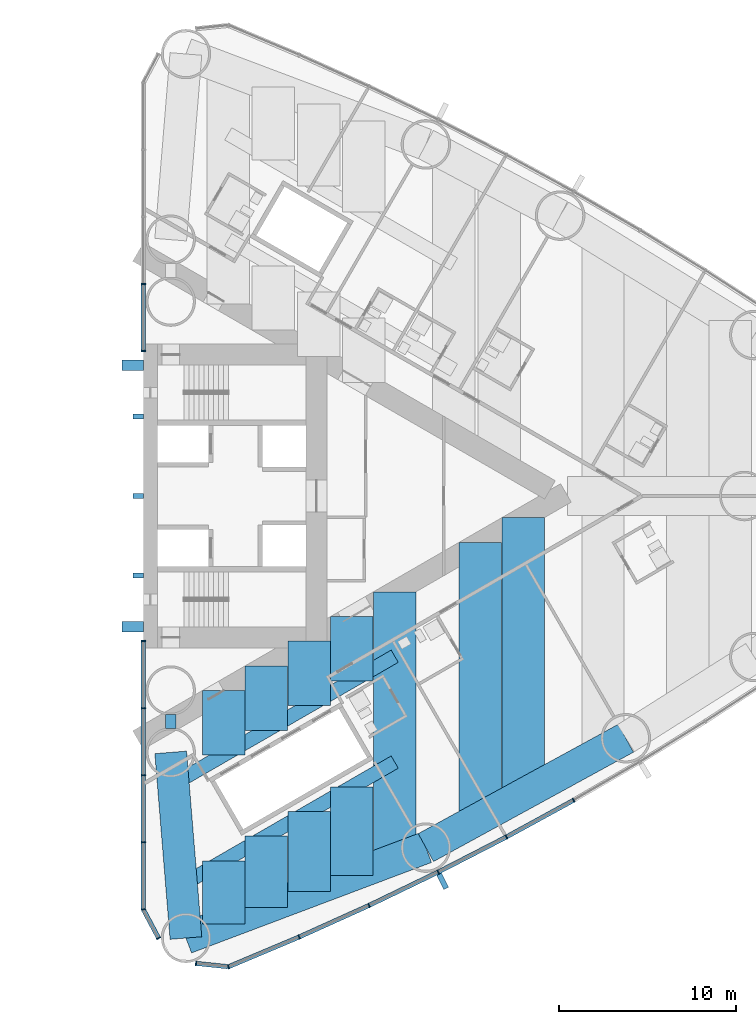
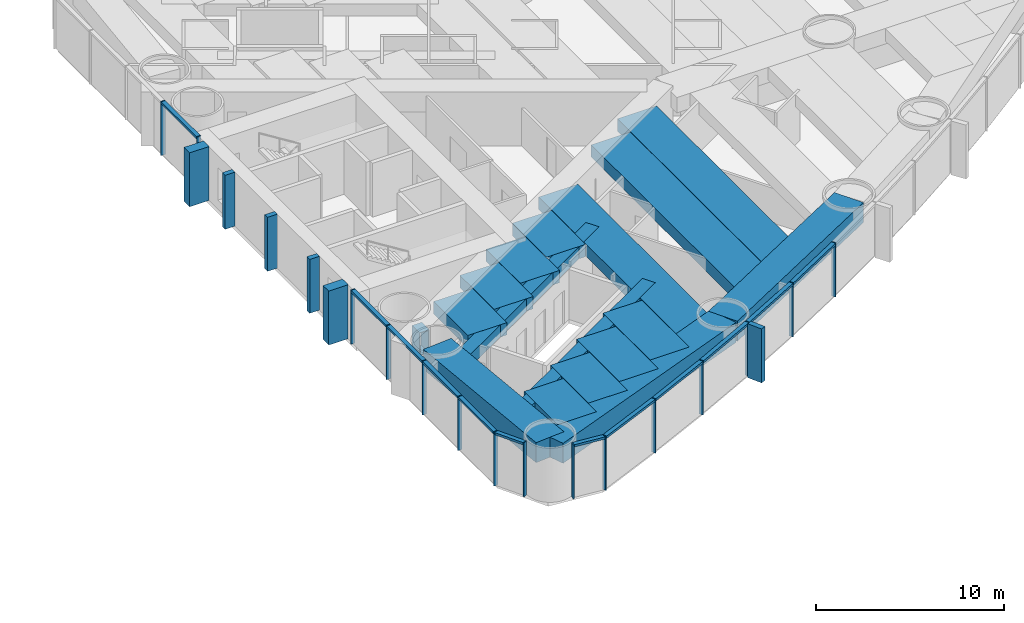
# One storey, part 6 of 18: 33 members, 17 beams, 3 elements without a shape of their own.
"""IFC4 building model written with IfcOpenShell, lengths in metres."""

from ifc_helpers import new_model, si_unit, direction, frame, origin, origin_2d, place, context, subcontext, project, spatial, rectangle, hollow_rectangle, extrude, material, material_profile, profile_set, type_object, element, aggregate, save


model = new_model("IFC4")

# Units and contexts
model_context = context("Model", 3, precision=1e-05, world=origin(), true_north=direction((0.0, 1.0)))
body_context = subcontext(model_context, "Body", "Model", "MODEL_VIEW")
ifc_project = project(units=[si_unit("LENGTHUNIT", "METRE"), si_unit("AREAUNIT", "SQUARE_METRE"), si_unit("VOLUMEUNIT", "CUBIC_METRE"), si_unit("PLANEANGLEUNIT", "RADIAN"), si_unit("MASSUNIT", "GRAM", prefix="KILO")], contexts=[model_context])

# Site, building, storey
site_placement = place(None, origin())
site = spatial("IfcSite", under=ifc_project, at=site_placement, CompositionType="ELEMENT")
building_placement = place(site_placement, origin())
building = spatial("IfcBuilding", under=site, at=building_placement, Name="Lancet Gate Hotel", CompositionType="ELEMENT")
storey_placement = place(building_placement, frame((0.0, 0.0, 42.5)))
storey = spatial("IfcBuildingStorey", under=building, at=storey_placement, Name="L10", CompositionType="ELEMENT", Elevation=42.5)

# Curtain wall, members
ifc_material_1 = material(Name="Aluminium curtain wall", Category="aluminium")
curtain_wall_type = type_object("IfcCurtainWallType", Name="Tower unitised curtain wall", PredefinedType="USERDEFINED", material=ifc_material_1)
curtain_wall_1_placement = place(storey_placement, origin())
curtain_wall_1 = element("IfcCurtainWall", 1, at=curtain_wall_1_placement, inside=storey, type_object=curtain_wall_type, Name="T2 L10 curtain wall 1", ObjectType="UNITISED CURTAIN WALL", PredefinedType="USERDEFINED")
ifc_material_2 = material(Name="Aluminium mullion", Category="aluminium")
ifc_material_profile_1 = material_profile(ifc_material_2, rectangle(XDim=0.06494140625, YDim=0.25, at=origin_2d()), Name="MULLION 65x250")
ifc_profile_set_1 = profile_set([ifc_material_profile_1], Name="Aluminium mullion")
member_type_1 = type_object("IfcMemberType", Name="Aluminium mullion 65x250", PredefinedType="MULLION", material=ifc_profile_set_1)
member_1_placement = place(storey_placement, frame((27.5, -8.199951171875, 0.0), z_axis=(0.0, 0.0, 1.0), x_axis=(0.0, -1.0, 0.0)))
member_1 = element("IfcMember", 2, at=member_1_placement, type_object=member_type_1, Name="T2 L10 curtain wall 1 mullion 1", PredefinedType="MULLION", context=body_context, shape_type="SweptSolid", body=[
    extrude(rectangle(XDim=0.06494140625, YDim=0.25, at=origin_2d()), origin(), (0.0, 0.0, 1.0), 3.5),
])
member_2_placement = place(storey_placement, frame((27.5, -11.99609375, 0.0), z_axis=(0.0, 0.0, 1.0), x_axis=(0.0, -1.0, 0.0)))
member_2 = element("IfcMember", 3, at=member_2_placement, type_object=member_type_1, Name="T2 L10 curtain wall 1 mullion 2", PredefinedType="MULLION", context=body_context, shape_type="SweptSolid", body=[
    extrude(rectangle(XDim=0.06494140625, YDim=0.25, at=origin_2d()), origin(), (0.0, 0.0, 1.0), 3.5),
])
member_3_placement = place(storey_placement, frame((27.5, -15.79248046875, 0.0), z_axis=(0.0, 0.0, 1.0), x_axis=(0.0, -1.0, 0.0)))
member_3 = element("IfcMember", 4, at=member_3_placement, type_object=member_type_1, Name="T2 L10 curtain wall 1 mullion 3", PredefinedType="MULLION", context=body_context, shape_type="SweptSolid", body=[
    extrude(rectangle(XDim=0.06494140625, YDim=0.25, at=origin_2d()), origin(), (0.0, 0.0, 1.0), 3.5),
])
member_4_placement = place(storey_placement, frame((27.5, -19.588623046875, 0.0), z_axis=(0.0, 0.0, 1.0), x_axis=(0.0, -1.0, 0.0)))
member_4 = element("IfcMember", 5, at=member_4_placement, type_object=member_type_1, Name="T2 L10 curtain wall 1 mullion 4", PredefinedType="MULLION", context=body_context, shape_type="SweptSolid", body=[
    extrude(rectangle(XDim=0.06494140625, YDim=0.25, at=origin_2d()), origin(), (0.0, 0.0, 1.0), 3.5),
])
member_5_placement = place(storey_placement, frame((27.5, -23.384765625, 0.0), z_axis=(0.0, 0.0, 1.0), x_axis=(0.157751691459, -0.987478811844, 0.0)))
member_5 = element("IfcMember", 6, at=member_5_placement, type_object=member_type_1, Name="T2 L10 curtain wall 1 mullion 5", PredefinedType="MULLION", context=body_context, shape_type="SweptSolid", body=[
    extrude(rectangle(XDim=0.06494140625, YDim=0.25, at=origin_2d()), origin(), (0.0, 0.0, 1.0), 3.5),
])
member_6_placement = place(storey_placement, frame((28.366455078125, -25.012451171875, 0.0), z_axis=(0.0, 0.0, 1.0), x_axis=(0.469897827284, -0.882720811987, 0.0)))
member_6 = element("IfcMember", 7, at=member_6_placement, type_object=member_type_1, Name="T2 L10 curtain wall 1 mullion 6", PredefinedType="MULLION", context=body_context, shape_type="SweptSolid", body=[
    extrude(rectangle(XDim=0.06494140625, YDim=0.25, at=origin_2d()), origin(), (0.0, 0.0, 1.0), 3.5),
])

curtain_wall_2_placement = place(storey_placement, origin())
curtain_wall_2 = element("IfcCurtainWall", 8, at=curtain_wall_2_placement, inside=storey, type_object=curtain_wall_type, Name="T2 L10 curtain wall 2", ObjectType="UNITISED CURTAIN WALL", PredefinedType="USERDEFINED")
member_7_placement = place(storey_placement, frame((30.48388671875, -26.4375, 0.0), z_axis=(0.0, 0.0, 1.0), x_axis=(0.994672262412, -0.10308778001, 0.0)))
member_7 = element("IfcMember", 9, at=member_7_placement, type_object=member_type_1, Name="T2 L10 curtain wall 2 mullion 1", PredefinedType="MULLION", context=body_context, shape_type="SweptSolid", body=[
    extrude(rectangle(XDim=0.06494140625, YDim=0.25, at=origin_2d()), origin(), (0.0, 0.0, 1.0), 3.5),
])
member_8_placement = place(storey_placement, frame((32.3173828125, -26.62744140625, 0.0), z_axis=(0.0, 0.0, 1.0), x_axis=(0.968721492963, 0.248150496819, 0.0)))
member_8 = element("IfcMember", 10, at=member_8_placement, type_object=member_type_1, Name="T2 L10 curtain wall 2 mullion 2", PredefinedType="MULLION", context=body_context, shape_type="SweptSolid", body=[
    extrude(rectangle(XDim=0.06494140625, YDim=0.25, at=origin_2d()), origin(), (0.0, 0.0, 1.0), 3.5),
])
member_9_placement = place(storey_placement, frame((36.31494140625, -24.943603515625, 0.0), z_axis=(0.0, 0.0, 1.0), x_axis=(0.916578705089, 0.399854320193, 0.0)))
member_9 = element("IfcMember", 11, at=member_9_placement, type_object=member_type_1, Name="T2 L10 curtain wall 2 mullion 3", PredefinedType="MULLION", context=body_context, shape_type="SweptSolid", body=[
    extrude(rectangle(XDim=0.06494140625, YDim=0.25, at=origin_2d()), origin(), (0.0, 0.0, 1.0), 3.5),
])
member_10_placement = place(storey_placement, frame((40.2685546875, -23.15869140625, 0.0), z_axis=(0.0, 0.0, 1.0), x_axis=(0.906104948671, 0.423052977762, 0.0)))
member_10 = element("IfcMember", 12, at=member_10_placement, type_object=member_type_1, Name="T2 L10 curtain wall 2 mullion 4", PredefinedType="MULLION", context=body_context, shape_type="SweptSolid", body=[
    extrude(rectangle(XDim=0.06494140625, YDim=0.25, at=origin_2d()), origin(), (0.0, 0.0, 1.0), 3.5),
])
member_11_placement = place(storey_placement, frame((44.17529296875, -21.273681640625, 0.0), z_axis=(0.0, 0.0, 1.0), x_axis=(0.895044147438, 0.445977548917, 0.0)))
member_11 = element("IfcMember", 13, at=member_11_placement, type_object=member_type_1, Name="T2 L10 curtain wall 2 mullion 5", PredefinedType="MULLION", context=body_context, shape_type="SweptSolid", body=[
    extrude(rectangle(XDim=0.06494140625, YDim=0.25, at=origin_2d()), origin(), (0.0, 0.0, 1.0), 3.5),
])
member_12_placement = place(storey_placement, frame((48.03271484375, -19.2900390625, 0.0), z_axis=(0.0, 0.0, 1.0), x_axis=(0.88340346743, 0.468613181347, 0.0)))
member_12 = element("IfcMember", 14, at=member_12_placement, type_object=member_type_1, Name="T2 L10 curtain wall 2 mullion 6", PredefinedType="MULLION", context=body_context, shape_type="SweptSolid", body=[
    extrude(rectangle(XDim=0.06494140625, YDim=0.25, at=origin_2d()), origin(), (0.0, 0.0, 1.0), 3.5),
])
member_13_placement = place(storey_placement, frame((51.838623046875, -17.208740234375, 0.0), z_axis=(0.0, 0.0, 1.0), x_axis=(0.871190450382, 0.490945209941, 0.0)))
member_13 = element("IfcMember", 15, at=member_13_placement, type_object=member_type_1, Name="T2 L10 curtain wall 2 mullion 7", PredefinedType="MULLION", context=body_context, shape_type="SweptSolid", body=[
    extrude(rectangle(XDim=0.06494140625, YDim=0.25, at=origin_2d()), origin(), (0.0, 0.0, 1.0), 3.5),
])

curtain_wall_3_placement = place(storey_placement, origin())
curtain_wall_3 = element("IfcCurtainWall", 16, at=curtain_wall_3_placement, inside=storey, type_object=curtain_wall_type, Name="T2 L10 curtain wall 4", ObjectType="UNITISED CURTAIN WALL", PredefinedType="USERDEFINED")
member_14_placement = place(storey_placement, frame((27.5, 11.99609375, 0.0), z_axis=(0.0, 0.0, 1.0), x_axis=(0.0, -1.0, 0.0)))
member_14 = element("IfcMember", 17, at=member_14_placement, type_object=member_type_1, Name="T2 L10 curtain wall 4 mullion 5", PredefinedType="MULLION", context=body_context, shape_type="SweptSolid", body=[
    extrude(rectangle(XDim=0.06494140625, YDim=0.25, at=origin_2d()), origin(), (0.0, 0.0, 1.0), 3.5),
])
member_15_placement = place(storey_placement, frame((27.5, 8.199951171875, 0.0), z_axis=(0.0, 0.0, 1.0), x_axis=(0.0, -1.0, 0.0)))
member_15 = element("IfcMember", 18, at=member_15_placement, type_object=member_type_1, Name="T2 L10 curtain wall 4 mullion 6", PredefinedType="MULLION", context=body_context, shape_type="SweptSolid", body=[
    extrude(rectangle(XDim=0.06494140625, YDim=0.25, at=origin_2d()), origin(), (0.0, 0.0, 1.0), 3.5),
])

# Member
ifc_material_3 = material(Name="Aluminium transom", Category="aluminium")
ifc_material_profile_2 = material_profile(ifc_material_3, rectangle(XDim=0.25, YDim=0.14990234375, at=origin_2d()), Name="TRANSOM 250x150")
ifc_profile_set_2 = profile_set([ifc_material_profile_2], Name="Aluminium transom")
member_type_2 = type_object("IfcMemberType", Name="Aluminium transom 250x150", PredefinedType="USERDEFINED", material=ifc_profile_set_2)
member_16_placement = place(storey_placement, frame((27.5, -8.232421875, 3.425048828125), z_axis=(0.0, -1.0, 0.0), x_axis=(1.0, 0.0, 0.0)))
member_16 = element("IfcMember", 19, at=member_16_placement, type_object=member_type_2, Name="T2 L10 curtain wall 1 transom 1", ObjectType="TRANSOM", PredefinedType="USERDEFINED", context=body_context, shape_type="SweptSolid", body=[
    extrude(rectangle(XDim=0.25, YDim=0.14990234375, at=origin_2d()), origin(), (0.0, 0.0, 1.0), 3.731201171875),
])

member_17_placement = place(storey_placement, frame((27.5, -12.02880859375, 3.425048828125), z_axis=(0.0, -1.0, 0.0), x_axis=(1.0, 0.0, 0.0)))
member_17 = element("IfcMember", 20, at=member_17_placement, type_object=member_type_2, Name="T2 L10 curtain wall 1 transom 2", ObjectType="TRANSOM", PredefinedType="USERDEFINED", context=body_context, shape_type="SweptSolid", body=[
    extrude(rectangle(XDim=0.25, YDim=0.14990234375, at=origin_2d()), origin(), (0.0, 0.0, 1.0), 3.731201171875),
])

member_18_placement = place(storey_placement, frame((27.5, -15.824951171875, 3.425048828125), z_axis=(0.0, -1.0, 0.0), x_axis=(1.0, 0.0, 0.0)))
member_18 = element("IfcMember", 21, at=member_18_placement, type_object=member_type_2, Name="T2 L10 curtain wall 1 transom 3", ObjectType="TRANSOM", PredefinedType="USERDEFINED", context=body_context, shape_type="SweptSolid", body=[
    extrude(rectangle(XDim=0.25, YDim=0.14990234375, at=origin_2d()), origin(), (0.0, 0.0, 1.0), 3.731201171875),
])

member_19_placement = place(storey_placement, frame((27.5, -19.62109375, 3.425048828125), z_axis=(0.0, -1.0, 0.0), x_axis=(1.0, 0.0, 0.0)))
member_19 = element("IfcMember", 22, at=member_19_placement, type_object=member_type_2, Name="T2 L10 curtain wall 1 transom 4", ObjectType="TRANSOM", PredefinedType="USERDEFINED", context=body_context, shape_type="SweptSolid", body=[
    extrude(rectangle(XDim=0.25, YDim=0.14990234375, at=origin_2d()), origin(), (0.0, 0.0, 1.0), 3.731201171875),
])

member_20_placement = place(storey_placement, frame((27.515380859375, -23.41357421875, 3.425048828125), z_axis=(0.469904276347, -0.882717378933, 0.0), x_axis=(0.882717378933, 0.469904276347, 0.0)))
member_20 = element("IfcMember", 23, at=member_20_placement, type_object=member_type_2, Name="T2 L10 curtain wall 1 transom 5", ObjectType="TRANSOM", PredefinedType="USERDEFINED", context=body_context, shape_type="SweptSolid", body=[
    extrude(rectangle(XDim=0.25, YDim=0.14990234375, at=origin_2d()), origin(), (0.0, 0.0, 1.0), 1.779052734375),
])

aggregate(curtain_wall_1, [member_1, member_2, member_3, member_4, member_5, member_6, member_16, member_17, member_18, member_19, member_20])

member_21_placement = place(storey_placement, frame((30.516357421875, -26.440673828125, 3.425048828125), z_axis=(0.994670452051, -0.103105246306, 0.0), x_axis=(0.103105246306, 0.994670452051, 0.0)))
member_21 = element("IfcMember", 24, at=member_21_placement, type_object=member_type_2, Name="T2 L10 curtain wall 2 transom 1", ObjectType="TRANSOM", PredefinedType="USERDEFINED", context=body_context, shape_type="SweptSolid", body=[
    extrude(rectangle(XDim=0.25, YDim=0.14990234375, at=origin_2d()), origin(), (0.0, 0.0, 1.0), 1.7783203125),
])

member_22_placement = place(storey_placement, frame((32.347412109375, -26.61474609375, 3.425048828125), z_axis=(0.92159772617, 0.388146404233, 0.0), x_axis=(-0.388146404233, 0.92159772617, 0.0)))
member_22 = element("IfcMember", 25, at=member_22_placement, type_object=member_type_2, Name="T2 L10 curtain wall 2 transom 2", ObjectType="TRANSOM", PredefinedType="USERDEFINED", context=body_context, shape_type="SweptSolid", body=[
    extrude(rectangle(XDim=0.25, YDim=0.14990234375, at=origin_2d()), origin(), (0.0, 0.0, 1.0), 4.272705078125),
])

member_23_placement = place(storey_placement, frame((36.3447265625, -24.930419921875, 3.425048828125), z_axis=(0.911396871737, 0.411528543589, 0.0), x_axis=(-0.411528543589, 0.911396871737, 0.0)))
member_23 = element("IfcMember", 26, at=member_23_placement, type_object=member_type_2, Name="T2 L10 curtain wall 2 transom 3", ObjectType="TRANSOM", PredefinedType="USERDEFINED", context=body_context, shape_type="SweptSolid", body=[
    extrude(rectangle(XDim=0.25, YDim=0.14990234375, at=origin_2d()), origin(), (0.0, 0.0, 1.0), 4.272705078125),
])

member_24_placement = place(storey_placement, frame((40.2978515625, -23.14453125, 3.425048828125), z_axis=(0.900646499888, 0.434552508035, 0.0), x_axis=(-0.434552508035, 0.900646499888, 0.0)))
member_24 = element("IfcMember", 27, at=member_24_placement, type_object=member_type_2, Name="T2 L10 curtain wall 2 transom 4", ObjectType="TRANSOM", PredefinedType="USERDEFINED", context=body_context, shape_type="SweptSolid", body=[
    extrude(rectangle(XDim=0.25, YDim=0.14990234375, at=origin_2d()), origin(), (0.0, 0.0, 1.0), 4.272705078125),
])

member_25_placement = place(storey_placement, frame((44.2041015625, -21.259033203125, 3.425048828125), z_axis=(0.88929576978, 0.457332520002, 0.0), x_axis=(-0.457332520002, 0.88929576978, 0.0)))
member_25 = element("IfcMember", 28, at=member_25_placement, type_object=member_type_2, Name="T2 L10 curtain wall 2 transom 5", ObjectType="TRANSOM", PredefinedType="USERDEFINED", context=body_context, shape_type="SweptSolid", body=[
    extrude(rectangle(XDim=0.25, YDim=0.14990234375, at=origin_2d()), origin(), (0.0, 0.0, 1.0), 4.272705078125),
])

member_26_placement = place(storey_placement, frame((48.061279296875, -19.2744140625, 3.425048828125), z_axis=(0.877377528879, 0.479800658417, 0.0), x_axis=(-0.479800658417, 0.877377528879, 0.0)))
member_26 = element("IfcMember", 29, at=member_26_placement, type_object=member_type_2, Name="T2 L10 curtain wall 2 transom 6", ObjectType="TRANSOM", PredefinedType="USERDEFINED", context=body_context, shape_type="SweptSolid", body=[
    extrude(rectangle(XDim=0.25, YDim=0.14990234375, at=origin_2d()), origin(), (0.0, 0.0, 1.0), 4.272705078125),
])

member_27_placement = place(storey_placement, frame((27.5, 11.963623046875, 3.425048828125), z_axis=(0.0, -1.0, 0.0), x_axis=(1.0, 0.0, 0.0)))
member_27 = element("IfcMember", 30, at=member_27_placement, type_object=member_type_2, Name="T2 L10 curtain wall 4 transom 5", ObjectType="TRANSOM", PredefinedType="USERDEFINED", context=body_context, shape_type="SweptSolid", body=[
    extrude(rectangle(XDim=0.25, YDim=0.14990234375, at=origin_2d()), origin(), (0.0, 0.0, 1.0), 3.731201171875),
])

aggregate(curtain_wall_3, [member_14, member_15, member_27])

# Beams
ifc_material_4 = material(Name="Concrete C50/60", Category="concrete")
ifc_material_profile_3 = material_profile(ifc_material_4, rectangle(XDim=1.800048828125, YDim=1.300048828125, at=origin_2d()), Name="RC 1800x1300")
ifc_profile_set_3 = profile_set([ifc_material_profile_3], Name="Concrete C50/60")
beam_type_1 = type_object("IfcBeamType", Name="Edge beam RC 1800x1300", PredefinedType="SPANDREL", material=ifc_profile_set_3)
beam_1_placement = place(storey_placement, frame((29.9111328125, -25.00244140625, 2.60009765625), z_axis=(0.935736448066, 0.352700013836, 0.0), x_axis=(-0.352700013836, 0.935736448066, 0.0)))
element("IfcBeam", 31, at=beam_1_placement, inside=storey, type_object=beam_type_1, Name="T2 edge beam EB1 L10", PredefinedType="SPANDREL", context=body_context, shape_type="SweptSolid", body=[
    extrude(rectangle(XDim=1.800048828125, YDim=1.300048828125, at=origin_2d()), origin(), (0.0, 0.0, 1.0), 14.505126953125),
])
beam_2_placement = place(storey_placement, frame((43.484130859375, -19.886474609375, 2.60009765625), z_axis=(0.87736889738, 0.479816441893, 0.0), x_axis=(-0.479816441893, 0.87736889738, 0.0)))
element("IfcBeam", 32, at=beam_2_placement, inside=storey, type_object=beam_type_1, Name="T2 edge beam EB1 L10", PredefinedType="SPANDREL", context=body_context, shape_type="SweptSolid", body=[
    extrude(rectangle(XDim=1.800048828125, YDim=1.300048828125, at=origin_2d()), origin(), (0.0, 0.0, 1.0), 12.89208984375),
])
beam_3_placement = place(storey_placement, frame((29.9111328125, -25.00244140625, 2.60009765625), z_axis=(-0.081714744052, 0.996655758326, 0.0), x_axis=(-0.996655758326, -0.081714744052, 0.0)))
element("IfcBeam", 33, at=beam_3_placement, inside=storey, type_object=beam_type_1, Name="T2 edge beam EB1 L10", PredefinedType="SPANDREL", context=body_context, shape_type="SweptSolid", body=[
    extrude(rectangle(XDim=1.800048828125, YDim=1.300048828125, at=origin_2d()), origin(), (0.0, 0.0, 1.0), 10.53759765625),
])

# Members
ifc_material_5 = material(Name="Concrete C60/75", Category="concrete")
ifc_material_profile_4 = material_profile(ifc_material_5, rectangle(XDim=0.60009765625, YDim=1.199951171875, at=origin_2d()), Name="FIN 600x1200")
ifc_profile_set_4 = profile_set([ifc_material_profile_4], Name="Concrete C60/75")
member_type_3 = type_object("IfcMemberType", Name="Exposed concrete buttress pilaster 600x1200", PredefinedType="USERDEFINED", material=ifc_profile_set_4)
for number, where, z_axis, x_axis, name in (
    (34, (26.909912109375, -7.39990234375, 0.0), (0.0, 0.0, 1.0), (0.0, 1.0, 0.0), "T2 buttress pilaster S L10"),
    (35, (26.909912109375, 7.39990234375, 0.0), (0.0, 0.0, 1.0), (0.0, 1.0, 0.0), "T2 buttress pilaster N L10"),
):
    element("IfcMember", number, at=place(storey_placement, frame(where, z_axis=z_axis, x_axis=x_axis)), inside=storey, type_object=member_type_3, Name=name, ObjectType="FIN", PredefinedType="USERDEFINED", context=body_context, shape_type="SweptSolid", body=[
        extrude(rectangle(XDim=0.60009765625, YDim=1.199951171875, at=origin_2d()), origin(), (0.0, 0.0, 1.0), 3.5),
    ])

# Member
ifc_material_6 = material(Name="Precast concrete C50/60", Category="concrete")
ifc_material_profile_5 = material_profile(ifc_material_6, rectangle(XDim=0.300048828125, YDim=0.89990234375, at=origin_2d()), Name="FIN 300x900")
ifc_profile_set_5 = profile_set([ifc_material_profile_5], Name="Precast concrete C50/60")
member_type_4 = type_object("IfcMemberType", Name="Exposed concrete fin 300x900", PredefinedType="USERDEFINED", material=ifc_profile_set_5)
member_28_placement = place(storey_placement, frame((44.431640625, -21.788330078125, 0.0), z_axis=(0.0, 0.0, 1.0), x_axis=(0.895044147438, 0.445977548917, 0.0)))
member_28 = element("IfcMember", 36, at=member_28_placement, type_object=member_type_4, Name="T2 L10 curtain wall 2 fin 5", ObjectType="FIN", PredefinedType="USERDEFINED", context=body_context, shape_type="SweptSolid", body=[
    extrude(rectangle(XDim=0.300048828125, YDim=0.89990234375, at=origin_2d()), origin(), (0.0, 0.0, 1.0), 3.5),
])

aggregate(curtain_wall_2, [member_7, member_8, member_9, member_10, member_11, member_28, member_12, member_13, member_21, member_22, member_23, member_24, member_25, member_26])

# Members
ifc_material_7 = material(Name="Concrete C60/75", Category="concrete")
ifc_material_profile_6 = material_profile(ifc_material_7, rectangle(XDim=0.300048828125, YDim=0.60009765625, at=origin_2d()), Name="FIN 300x600")
ifc_profile_set_6 = profile_set([ifc_material_profile_6], Name="Concrete C60/75")
member_type_5 = type_object("IfcMemberType", Name="Exposed concrete rib 300x600", PredefinedType="USERDEFINED", material=ifc_profile_set_6)
for number, where, z_axis, x_axis, name in (
    (37, (27.2099609375, -4.5, 0.0), (0.0, 0.0, 1.0), (0.0, 1.0, 0.0), "T2 core rib 1 L10"),
    (38, (27.2099609375, 0.0, 0.0), (0.0, 0.0, 1.0), (0.0, 1.0, 0.0), "T2 core rib 2 L10"),
    (39, (27.2099609375, 4.5, 0.0), (0.0, 0.0, 1.0), (0.0, 1.0, 0.0), "T2 core rib 3 L10"),
):
    element("IfcMember", number, at=place(storey_placement, frame(where, z_axis=z_axis, x_axis=x_axis)), inside=storey, type_object=member_type_5, Name=name, ObjectType="FIN", PredefinedType="USERDEFINED", context=body_context, shape_type="SweptSolid", body=[
        extrude(rectangle(XDim=0.300048828125, YDim=0.60009765625, at=origin_2d()), origin(), (0.0, 0.0, 1.0), 3.5),
    ])

# Beams
ifc_material_8 = material(Name="Concrete C50/60", Category="concrete")
ifc_material_profile_7 = material_profile(ifc_material_8, rectangle(XDim=2.39990234375, YDim=0.800048828125, at=origin_2d()), Name="RC 2400x800")
ifc_profile_set_7 = profile_set([ifc_material_profile_7], Name="Concrete C50/60")
beam_type_2 = type_object("IfcBeamType", Name="Floor beam RC 2400x800", PredefinedType="BEAM", material=ifc_profile_set_7)
beam_4_placement = place(storey_placement, frame((41.721435546875, -20.55078125, 2.85009765625), z_axis=(0.0, 1.0, 0.0), x_axis=(-1.0, 0.0, 0.0)))
element("IfcBeam", 40, at=beam_4_placement, inside=storey, type_object=beam_type_2, Name="T2 floor beam F11S L10", PredefinedType="BEAM", context=body_context, shape_type="SweptSolid", body=[
    extrude(rectangle(XDim=2.39990234375, YDim=0.800048828125, at=origin_2d()), origin(), (0.0, 0.0, 1.0), 15.134765625),
])
beam_5_placement = place(storey_placement, frame((46.561767578125, -18.203369140625, 2.85009765625), z_axis=(0.0, 1.0, 0.0), x_axis=(-1.0, 0.0, 0.0)))
element("IfcBeam", 41, at=beam_5_placement, inside=storey, type_object=beam_type_2, Name="T2 floor beam F13S L10", PredefinedType="BEAM", context=body_context, shape_type="SweptSolid", body=[
    extrude(rectangle(XDim=2.39990234375, YDim=0.800048828125, at=origin_2d()), origin(), (0.0, 0.0, 1.0), 15.58203125),
])
beam_6_placement = place(storey_placement, frame((48.98193359375, -16.879638671875, 2.85009765625), z_axis=(0.0, 1.0, 0.0), x_axis=(-1.0, 0.0, 0.0)))
element("IfcBeam", 42, at=beam_6_placement, inside=storey, type_object=beam_type_2, Name="T2 floor beam F15S L10", PredefinedType="BEAM", context=body_context, shape_type="SweptSolid", body=[
    extrude(rectangle(XDim=2.39990234375, YDim=0.800048828125, at=origin_2d()), origin(), (0.0, 0.0, 1.0), 15.655517578125),
])
beam_7_placement = place(storey_placement, frame((32.04052734375, -24.199951171875, 2.85009765625), z_axis=(0.0, 1.0, 0.0), x_axis=(-1.0, 0.0, 0.0)))
element("IfcBeam", 43, at=beam_7_placement, inside=storey, type_object=beam_type_2, Name="T2 floor beam F03SA L10", PredefinedType="BEAM", context=body_context, shape_type="SweptSolid", body=[
    extrude(rectangle(XDim=2.39990234375, YDim=0.800048828125, at=origin_2d()), origin(), (0.0, 0.0, 1.0), 3.5615234375),
])
beam_8_placement = place(storey_placement, frame((32.04052734375, -14.65087890625, 2.85009765625), z_axis=(0.0, 1.0, 0.0), x_axis=(-1.0, 0.0, 0.0)))
element("IfcBeam", 44, at=beam_8_placement, inside=storey, type_object=beam_type_2, Name="T2 floor beam F03SB L10", PredefinedType="BEAM", context=body_context, shape_type="SweptSolid", body=[
    extrude(rectangle(XDim=2.39990234375, YDim=0.800048828125, at=origin_2d()), origin(), (0.0, 0.0, 1.0), 3.6455078125),
])
beam_9_placement = place(storey_placement, frame((34.460693359375, -23.28759765625, 2.85009765625), z_axis=(0.0, 1.0, 0.0), x_axis=(-1.0, 0.0, 0.0)))
element("IfcBeam", 45, at=beam_9_placement, inside=storey, type_object=beam_type_2, Name="T2 floor beam F05SA L10", PredefinedType="BEAM", context=body_context, shape_type="SweptSolid", body=[
    extrude(rectangle(XDim=2.39990234375, YDim=0.800048828125, at=origin_2d()), origin(), (0.0, 0.0, 1.0), 4.04638671875),
])
beam_10_placement = place(storey_placement, frame((34.460693359375, -13.253662109375, 2.85009765625), z_axis=(0.0, 1.0, 0.0), x_axis=(-1.0, 0.0, 0.0)))
element("IfcBeam", 46, at=beam_10_placement, inside=storey, type_object=beam_type_2, Name="T2 floor beam F05SB L10", PredefinedType="BEAM", context=body_context, shape_type="SweptSolid", body=[
    extrude(rectangle(XDim=2.39990234375, YDim=0.800048828125, at=origin_2d()), origin(), (0.0, 0.0, 1.0), 3.645751953125),
])
beam_11_placement = place(storey_placement, frame((36.880859375, -22.37548828125, 2.85009765625), z_axis=(0.0, 1.0, 0.0), x_axis=(-1.0, 0.0, 0.0)))
element("IfcBeam", 47, at=beam_11_placement, inside=storey, type_object=beam_type_2, Name="T2 floor beam F07SA L10", PredefinedType="BEAM", context=body_context, shape_type="SweptSolid", body=[
    extrude(rectangle(XDim=2.39990234375, YDim=0.800048828125, at=origin_2d()), origin(), (0.0, 0.0, 1.0), 4.53173828125),
])
beam_12_placement = place(storey_placement, frame((36.880859375, -11.8564453125, 2.85009765625), z_axis=(0.0, 1.0, 0.0), x_axis=(-1.0, 0.0, 0.0)))
element("IfcBeam", 48, at=beam_12_placement, inside=storey, type_object=beam_type_2, Name="T2 floor beam F07SB L10", PredefinedType="BEAM", context=body_context, shape_type="SweptSolid", body=[
    extrude(rectangle(XDim=2.39990234375, YDim=0.800048828125, at=origin_2d()), origin(), (0.0, 0.0, 1.0), 3.645751953125),
])
beam_13_placement = place(storey_placement, frame((39.301025390625, -21.463134765625, 2.85009765625), z_axis=(0.0, 1.0, 0.0), x_axis=(-1.0, 0.0, 0.0)))
element("IfcBeam", 49, at=beam_13_placement, inside=storey, type_object=beam_type_2, Name="T2 floor beam F09SA L10", PredefinedType="BEAM", context=body_context, shape_type="SweptSolid", body=[
    extrude(rectangle(XDim=2.39990234375, YDim=0.800048828125, at=origin_2d()), origin(), (0.0, 0.0, 1.0), 5.0166015625),
])
beam_14_placement = place(storey_placement, frame((39.301025390625, -10.458984375, 2.85009765625), z_axis=(0.0, 1.0, 0.0), x_axis=(-1.0, 0.0, 0.0)))
element("IfcBeam", 50, at=beam_14_placement, inside=storey, type_object=beam_type_2, Name="T2 floor beam F09SB L10", PredefinedType="BEAM", context=body_context, shape_type="SweptSolid", body=[
    extrude(rectangle(XDim=2.39990234375, YDim=0.800048828125, at=origin_2d()), origin(), (0.0, 0.0, 1.0), 3.6455078125),
])
ifc_material_9 = material(Name="Steel S460QL", Category="steel")
ifc_material_profile_8 = material_profile(ifc_material_9, hollow_rectangle(XDim=0.60009765625, YDim=1.5, WallThickness=0.050048828125, at=origin_2d()), Name="BOX 1500x600x50")
ifc_profile_set_8 = profile_set([ifc_material_profile_8], Name="Steel S460QL")
beam_type_3 = type_object("IfcBeamType", Name="Inner-face link beam BOX 1500x600x50", PredefinedType="BEAM", material=ifc_profile_set_8)
beam_15_placement = place(storey_placement, frame((29.050048828125, -13.14990234375, 2.5), z_axis=(0.0, 1.0, 0.0), x_axis=(-1.0, 0.0, 0.0)))
element("IfcBeam", 51, at=beam_15_placement, inside=storey, type_object=beam_type_3, Name="T2 inner-face link beam LK1 L10", PredefinedType="BEAM", context=body_context, shape_type="SweptSolid", body=[
    extrude(hollow_rectangle(XDim=0.60009765625, YDim=1.5, WallThickness=0.050048828125, at=origin_2d()), origin(), (0.0, 0.0, 1.0), 0.7998046875),
])
ifc_material_10 = material(Name="Steel S460QL", Category="steel")
ifc_material_profile_9 = material_profile(ifc_material_10, hollow_rectangle(XDim=0.800048828125, YDim=0.800048828125, WallThickness=0.080078125, at=origin_2d()), Name="BOX 800x800x80")
ifc_profile_set_9 = profile_set([ifc_material_profile_9], Name="Steel S460QL")
beam_type_4 = type_object("IfcBeamType", Name="Trimmer beam BOX 800x800x80", PredefinedType="BEAM", material=ifc_profile_set_9)
beam_16_placement = place(storey_placement, frame((29.6201171875, -16.048095703125, 2.85009765625), z_axis=(0.866036909293, 0.499980071345, 0.0), x_axis=(-0.499980071345, 0.866036909293, 0.0)))
element("IfcBeam", 52, at=beam_16_placement, inside=storey, type_object=beam_type_4, Name="T2 trimmer beam TR01S L10", PredefinedType="BEAM", context=body_context, shape_type="SweptSolid", body=[
    extrude(hollow_rectangle(XDim=0.800048828125, YDim=0.800048828125, WallThickness=0.080078125, at=origin_2d()), origin(), (0.0, 0.0, 1.0), 13.97314453125),
])
beam_17_placement = place(storey_placement, frame((29.665771484375, -22.00927734375, 2.85009765625), z_axis=(0.866037222451, 0.499979528911, 0.0), x_axis=(-0.499979528911, 0.866037222451, 0.0)))
element("IfcBeam", 53, at=beam_17_placement, inside=storey, type_object=beam_type_4, Name="T2 trimmer beam TR02S L10", PredefinedType="BEAM", context=body_context, shape_type="SweptSolid", body=[
    extrude(hollow_rectangle(XDim=0.800048828125, YDim=0.800048828125, WallThickness=0.080078125, at=origin_2d()), origin(), (0.0, 0.0, 1.0), 13.92041015625),
])

save(model, "model.ifc")
